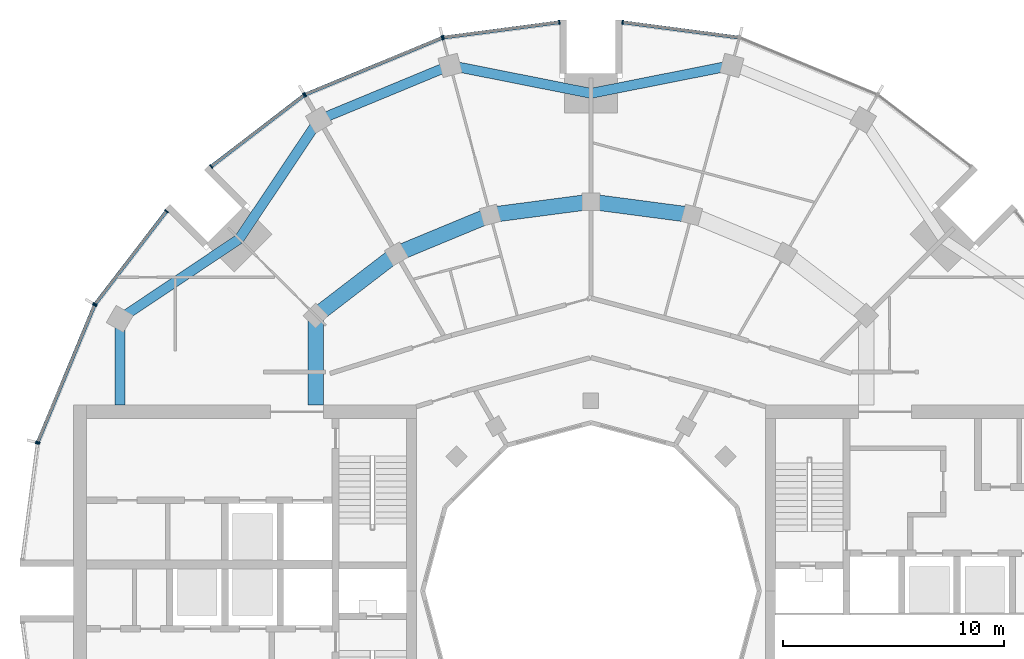
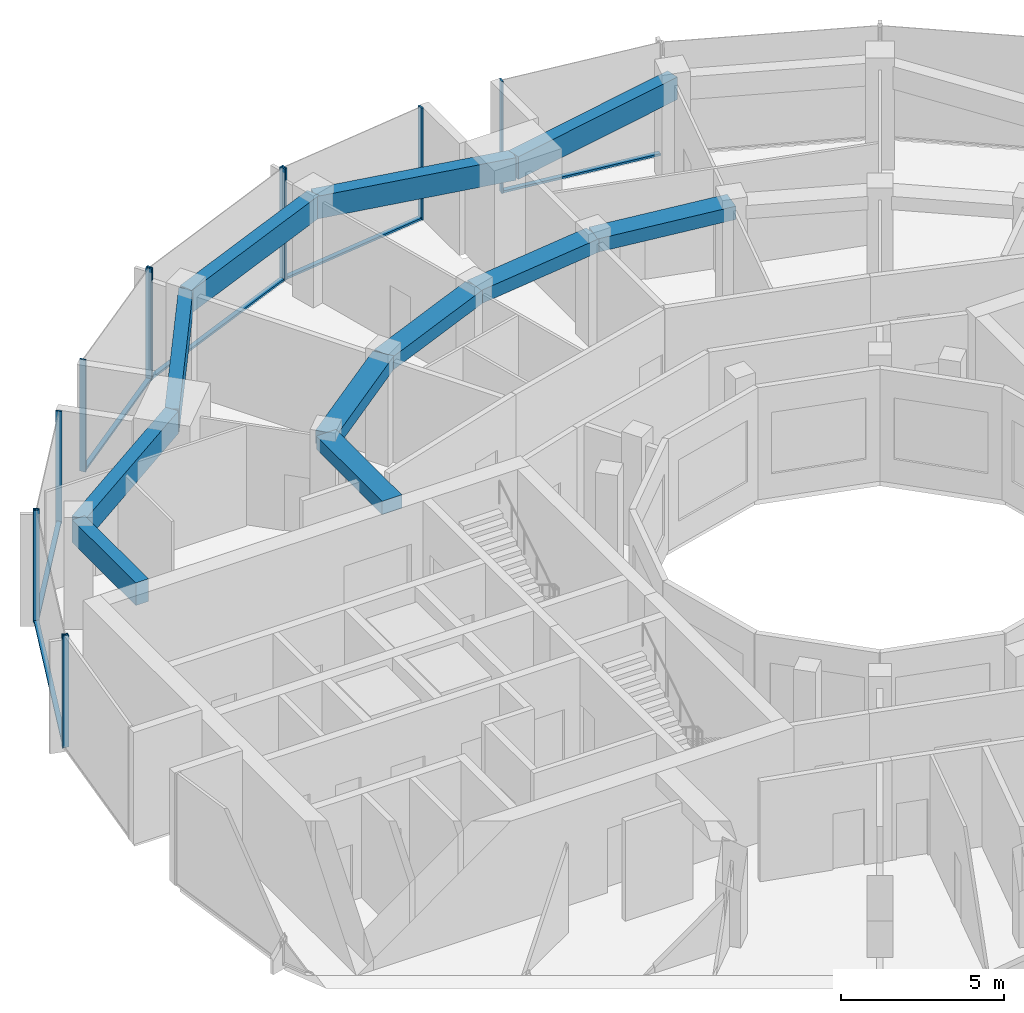
# One storey, part 5 of 15: 18 members, 11 beams, 7 elements without a shape of their own.
"""IFC4 building model written with IfcOpenShell, lengths in metres."""

from ifc_helpers import new_model, si_unit, direction, frame, origin, origin_2d, place, context, subcontext, project, spatial, rectangle, extrude, material, layer, layer_set, material_profile, profile_set, type_object, element, aggregate, save


model = new_model("IFC4")

# Units and contexts
model_context = context("Model", 3, precision=1e-05, world=origin(), true_north=direction((0.0, 1.0)))
body_context = subcontext(model_context, "Body", "Model", "MODEL_VIEW")
ifc_project = project(units=[si_unit("LENGTHUNIT", "METRE"), si_unit("AREAUNIT", "SQUARE_METRE"), si_unit("VOLUMEUNIT", "CUBIC_METRE"), si_unit("PLANEANGLEUNIT", "RADIAN"), si_unit("MASSUNIT", "GRAM", prefix="KILO")], contexts=[model_context])

# Site, building, storey
site_placement = place(None, origin())
site = spatial("IfcSite", under=ifc_project, at=site_placement, CompositionType="ELEMENT")
building_placement = place(site_placement, origin())
building = spatial("IfcBuilding", under=site, at=building_placement, Name="Torre Brocal", CompositionType="ELEMENT")
storey_placement = place(building_placement, frame((0.0, 0.0, 216.699951171875)))
storey = spatial("IfcBuildingStorey", under=building, at=storey_placement, Name="L50", CompositionType="ELEMENT", Elevation=216.699951171875)

# Curtain wall, member
ifc_material_1 = material(Name="Aluminium and glass", Category="aluminium")
ifc_layer_1 = layer(ifc_material_1, 0.199951171875)
ifc_layer_set_1 = layer_set([ifc_layer_1], Name="Aluminium and glass")
curtain_wall_type_1 = type_object("IfcCurtainWallType", Name="CW-1 CURTAIN WALL 4200 HIGH", PredefinedType="NOTDEFINED", material=ifc_layer_set_1)
curtain_wall_1_placement = place(storey_placement, origin())
curtain_wall_1 = element("IfcCurtainWall", 1, at=curtain_wall_1_placement, inside=storey, type_object=curtain_wall_type_1, Name="CW-1 RUN 6", PredefinedType="NOTDEFINED")
ifc_material_2 = material(Name="Aluminium, dark anodised", Category="aluminium")
ifc_material_profile_1 = material_profile(ifc_material_2, rectangle(XDim=0.199951171875, YDim=0.06005859375, at=origin_2d()), Name="CW-1 MULLION 60X200")
ifc_profile_set_1 = profile_set([ifc_material_profile_1], Name="Aluminium, dark anodised")
member_type_1 = type_object("IfcMemberType", Name="CW-1 MULLION 60X200", PredefinedType="MULLION", material=ifc_profile_set_1)
member_1_placement = place(storey_placement, frame((81.4296875, 100.7109375, 0.0), z_axis=(0.0, 0.0, 1.0), x_axis=(-0.13052619222, -0.991444861374, 0.0)))
member_1 = element("IfcMember", 2, at=member_1_placement, type_object=member_type_1, Name="CW1-5 mullion 2", PredefinedType="MULLION", context=body_context, shape_type="SweptSolid", body=[
    extrude(rectangle(XDim=0.199951171875, YDim=0.06005859375, at=origin_2d()), origin(), (0.0, 0.0, 1.0), 4.199951171875),
])

# Curtain wall, members
curtain_wall_2_placement = place(storey_placement, origin())
curtain_wall_2 = element("IfcCurtainWall", 3, at=curtain_wall_2_placement, inside=storey, type_object=curtain_wall_type_1, Name="CW-1 RUN 7", PredefinedType="NOTDEFINED")
member_2_placement = place(storey_placement, frame((78.5703125, 100.7109375, 0.0), z_axis=(0.0, 0.0, 1.0), x_axis=(0.13052619222, -0.991444861374, 0.0)))
member_2 = element("IfcMember", 4, at=member_2_placement, type_object=member_type_1, Name="CW1-5 mullion 1", PredefinedType="MULLION", context=body_context, shape_type="SweptSolid", body=[
    extrude(rectangle(XDim=0.199951171875, YDim=0.06005859375, at=origin_2d()), origin(), (0.0, 0.0, 1.0), 4.199951171875),
])
member_3_placement = place(storey_placement, frame((73.32666015625, 100.0205078125, 0.0), z_axis=(0.0, 0.0, 1.0), x_axis=(0.13052619222, -0.991444861374, 0.0)))
member_3 = element("IfcMember", 5, at=member_3_placement, type_object=member_type_1, Name="CW1-5 mullion 2", PredefinedType="MULLION", context=body_context, shape_type="SweptSolid", body=[
    extrude(rectangle(XDim=0.199951171875, YDim=0.06005859375, at=origin_2d()), origin(), (0.0, 0.0, 1.0), 4.199951171875),
])

curtain_wall_3_placement = place(storey_placement, origin())
curtain_wall_3 = element("IfcCurtainWall", 6, at=curtain_wall_3_placement, inside=storey, type_object=curtain_wall_type_1, Name="CW-1 RUN 8", PredefinedType="NOTDEFINED")
member_4_placement = place(storey_placement, frame((73.26904296875, 100.005126953125, 0.0), z_axis=(0.0, 0.0, 1.0), x_axis=(0.382683432333, -0.923879532525, 0.0)))
member_4 = element("IfcMember", 7, at=member_4_placement, type_object=member_type_1, Name="CW1-5 mullion 1", PredefinedType="MULLION", context=body_context, shape_type="SweptSolid", body=[
    extrude(rectangle(XDim=0.199951171875, YDim=0.06005859375, at=origin_2d()), origin(), (0.0, 0.0, 1.0), 4.199951171875),
])
member_5_placement = place(storey_placement, frame((67.078125, 97.440673828125, 0.0), z_axis=(0.0, 0.0, 1.0), x_axis=(0.382683432333, -0.923879532525, 0.0)))
member_5 = element("IfcMember", 8, at=member_5_placement, type_object=member_type_1, Name="CW1-5 mullion 2", PredefinedType="MULLION", context=body_context, shape_type="SweptSolid", body=[
    extrude(rectangle(XDim=0.199951171875, YDim=0.06005859375, at=origin_2d()), origin(), (0.0, 0.0, 1.0), 4.199951171875),
])

curtain_wall_4_placement = place(storey_placement, origin())
curtain_wall_4 = element("IfcCurtainWall", 9, at=curtain_wall_4_placement, inside=storey, type_object=curtain_wall_type_1, Name="CW-1 RUN 9", PredefinedType="NOTDEFINED")
member_6_placement = place(storey_placement, frame((67.026611328125, 97.4111328125, 0.0), z_axis=(0.0, 0.0, 1.0), x_axis=(0.60876142905, -0.793353340259, 0.0)))
member_6 = element("IfcMember", 10, at=member_6_placement, type_object=member_type_1, Name="CW1-5 mullion 1", PredefinedType="MULLION", context=body_context, shape_type="SweptSolid", body=[
    extrude(rectangle(XDim=0.199951171875, YDim=0.06005859375, at=origin_2d()), origin(), (0.0, 0.0, 1.0), 4.199951171875),
])
member_7_placement = place(storey_placement, frame((62.83056640625, 94.19140625, 0.0), z_axis=(0.0, 0.0, 1.0), x_axis=(0.60876142905, -0.793353340259, 0.0)))
member_7 = element("IfcMember", 11, at=member_7_placement, type_object=member_type_1, Name="CW1-5 mullion 2", PredefinedType="MULLION", context=body_context, shape_type="SweptSolid", body=[
    extrude(rectangle(XDim=0.199951171875, YDim=0.06005859375, at=origin_2d()), origin(), (0.0, 0.0, 1.0), 4.199951171875),
])

curtain_wall_5_placement = place(storey_placement, origin())
curtain_wall_5 = element("IfcCurtainWall", 12, at=curtain_wall_5_placement, inside=storey, type_object=curtain_wall_type_1, Name="CW-1 RUN 10", PredefinedType="NOTDEFINED")
member_8_placement = place(storey_placement, frame((60.80859375, 92.16943359375, 0.0), z_axis=(0.0, 0.0, 1.0), x_axis=(0.793353340259, -0.60876142905, 0.0)))
member_8 = element("IfcMember", 13, at=member_8_placement, type_object=member_type_1, Name="CW1-5 mullion 1", PredefinedType="MULLION", context=body_context, shape_type="SweptSolid", body=[
    extrude(rectangle(XDim=0.199951171875, YDim=0.06005859375, at=origin_2d()), origin(), (0.0, 0.0, 1.0), 4.199951171875),
])
member_9_placement = place(storey_placement, frame((57.5888671875, 87.973388671875, 0.0), z_axis=(0.0, 0.0, 1.0), x_axis=(0.793353340259, -0.60876142905, 0.0)))
member_9 = element("IfcMember", 14, at=member_9_placement, type_object=member_type_1, Name="CW1-5 mullion 2", PredefinedType="MULLION", context=body_context, shape_type="SweptSolid", body=[
    extrude(rectangle(XDim=0.199951171875, YDim=0.06005859375, at=origin_2d()), origin(), (0.0, 0.0, 1.0), 4.199951171875),
])

curtain_wall_6_placement = place(storey_placement, origin())
curtain_wall_6 = element("IfcCurtainWall", 15, at=curtain_wall_6_placement, inside=storey, type_object=curtain_wall_type_1, Name="CW-1 RUN 11", PredefinedType="NOTDEFINED")
member_10_placement = place(storey_placement, frame((57.559326171875, 87.921875, 0.0), z_axis=(0.0, 0.0, 1.0), x_axis=(0.923879532525, -0.382683432333, 0.0)))
member_10 = element("IfcMember", 16, at=member_10_placement, type_object=member_type_1, Name="CW1-5 mullion 1", PredefinedType="MULLION", context=body_context, shape_type="SweptSolid", body=[
    extrude(rectangle(XDim=0.199951171875, YDim=0.06005859375, at=origin_2d()), origin(), (0.0, 0.0, 1.0), 4.199951171875),
])
member_11_placement = place(storey_placement, frame((54.994873046875, 81.73095703125, 0.0), z_axis=(0.0, 0.0, 1.0), x_axis=(0.923879532525, -0.382683432333, 0.0)))
member_11 = element("IfcMember", 17, at=member_11_placement, type_object=member_type_1, Name="CW1-5 mullion 2", PredefinedType="MULLION", context=body_context, shape_type="SweptSolid", body=[
    extrude(rectangle(XDim=0.199951171875, YDim=0.06005859375, at=origin_2d()), origin(), (0.0, 0.0, 1.0), 4.199951171875),
])

# Member
ifc_material_3 = material(Name="Aluminium, dark anodised", Category="aluminium")
ifc_material_profile_2 = material_profile(ifc_material_3, rectangle(XDim=0.159912109375, YDim=0.080078125, at=origin_2d()), Name="CW-1 TRANSOM 160X80")
ifc_profile_set_2 = profile_set([ifc_material_profile_2], Name="Aluminium, dark anodised")
member_type_2 = type_object("IfcMemberType", Name="CW-1 TRANSOM 160X80", PredefinedType="USERDEFINED", material=ifc_profile_set_2)
member_12_placement = place(storey_placement, frame((86.643798828125, 100.0244140625, 0.0400390625), z_axis=(-0.991442690863, 0.130542677827, 0.0), x_axis=(-0.130542677827, -0.991442690863, 0.0)))
member_12 = element("IfcMember", 18, at=member_12_placement, type_object=member_type_2, Name="CW1-5 transom 1.1", ObjectType="TRANSOM", PredefinedType="USERDEFINED", context=body_context, shape_type="SweptSolid", body=[
    extrude(rectangle(XDim=0.159912109375, YDim=0.080078125, at=origin_2d()), origin(), (0.0, 0.0, 1.0), 5.22900390625),
])

aggregate(curtain_wall_1, [member_1, member_12])

member_13_placement = place(storey_placement, frame((78.54052734375, 100.70703125, 0.0400390625), z_axis=(-0.991442690863, -0.130542677827, 0.0), x_axis=(0.130542677827, -0.991442690863, 0.0)))
member_13 = element("IfcMember", 19, at=member_13_placement, type_object=member_type_2, Name="CW1-5 transom 1.1", ObjectType="TRANSOM", PredefinedType="USERDEFINED", context=body_context, shape_type="SweptSolid", body=[
    extrude(rectangle(XDim=0.159912109375, YDim=0.080078125, at=origin_2d()), origin(), (0.0, 0.0, 1.0), 5.22900390625),
])

aggregate(curtain_wall_2, [member_2, member_3, member_13])

member_14_placement = place(storey_placement, frame((73.241455078125, 99.99365234375, 0.0400390625), z_axis=(-0.923887344364, -0.38266457234, 0.0), x_axis=(0.38266457234, -0.923887344364, 0.0)))
member_14 = element("IfcMember", 20, at=member_14_placement, type_object=member_type_2, Name="CW1-5 transom 1.1", ObjectType="TRANSOM", PredefinedType="USERDEFINED", context=body_context, shape_type="SweptSolid", body=[
    extrude(rectangle(XDim=0.159912109375, YDim=0.080078125, at=origin_2d()), origin(), (0.0, 0.0, 1.0), 6.640869140625),
])

aggregate(curtain_wall_3, [member_4, member_5, member_14])

member_15_placement = place(storey_placement, frame((67.0029296875, 97.392822265625, 0.0400390625), z_axis=(-0.79336281513, -0.60874908096, 0.0), x_axis=(0.60874908096, -0.79336281513, 0.0)))
member_15 = element("IfcMember", 21, at=member_15_placement, type_object=member_type_2, Name="CW1-5 transom 1.1", ObjectType="TRANSOM", PredefinedType="USERDEFINED", context=body_context, shape_type="SweptSolid", body=[
    extrude(rectangle(XDim=0.159912109375, YDim=0.080078125, at=origin_2d()), origin(), (0.0, 0.0, 1.0), 5.22900390625),
])

aggregate(curtain_wall_4, [member_6, member_7, member_15])

member_16_placement = place(storey_placement, frame((60.790283203125, 92.1455078125, 0.0400390625), z_axis=(-0.60874908096, -0.79336281513, 0.0), x_axis=(0.79336281513, -0.60874908096, 0.0)))
member_16 = element("IfcMember", 22, at=member_16_placement, type_object=member_type_2, Name="CW1-5 transom 1.1", ObjectType="TRANSOM", PredefinedType="USERDEFINED", context=body_context, shape_type="SweptSolid", body=[
    extrude(rectangle(XDim=0.159912109375, YDim=0.080078125, at=origin_2d()), origin(), (0.0, 0.0, 1.0), 5.22900390625),
])

aggregate(curtain_wall_5, [member_8, member_9, member_16])

member_17_placement = place(storey_placement, frame((57.547607421875, 87.89404296875, 0.0400390625), z_axis=(-0.38266457234, -0.923887344364, 0.0), x_axis=(0.923887344364, -0.38266457234, 0.0)))
member_17 = element("IfcMember", 23, at=member_17_placement, type_object=member_type_2, Name="CW1-5 transom 1.1", ObjectType="TRANSOM", PredefinedType="USERDEFINED", context=body_context, shape_type="SweptSolid", body=[
    extrude(rectangle(XDim=0.159912109375, YDim=0.080078125, at=origin_2d()), origin(), (0.0, 0.0, 1.0), 6.640869140625),
])

aggregate(curtain_wall_6, [member_10, member_11, member_17])

# Curtain wall, member
ifc_material_4 = material(Name="Aluminium and glass", Category="aluminium")
ifc_layer_2 = layer(ifc_material_4, 0.199951171875)
ifc_layer_set_2 = layer_set([ifc_layer_2], Name="Aluminium and glass")
curtain_wall_type_2 = type_object("IfcCurtainWallType", Name="CW-1B CURTAIN WALL 4200 HIGH", PredefinedType="NOTDEFINED", material=ifc_layer_set_2)
curtain_wall_7_placement = place(storey_placement, origin())
curtain_wall_7 = element("IfcCurtainWall", 24, at=curtain_wall_7_placement, inside=storey, type_object=curtain_wall_type_2, Name="CW-1B RUN 12", PredefinedType="NOTDEFINED")
ifc_material_5 = material(Name="Aluminium, dark anodised", Category="aluminium")
ifc_material_profile_3 = material_profile(ifc_material_5, rectangle(XDim=0.199951171875, YDim=0.06005859375, at=origin_2d()), Name="CW-1B MULLION 60X200")
ifc_profile_set_3 = profile_set([ifc_material_profile_3], Name="Aluminium, dark anodised")
member_type_3 = type_object("IfcMemberType", Name="CW-1B MULLION 60X200", PredefinedType="MULLION", material=ifc_profile_set_3)
member_18_placement = place(storey_placement, frame((54.9794921875, 81.67333984375, 0.0), z_axis=(0.0, 0.0, 1.0), x_axis=(0.991444861374, -0.13052619222, 0.0)))
member_18 = element("IfcMember", 25, at=member_18_placement, type_object=member_type_3, Name="CW1B-5 mullion 1", PredefinedType="MULLION", context=body_context, shape_type="SweptSolid", body=[
    extrude(rectangle(XDim=0.199951171875, YDim=0.06005859375, at=origin_2d()), origin(), (0.0, 0.0, 1.0), 4.199951171875),
])
aggregate(curtain_wall_7, [member_18])

# Beams
ifc_material_6 = material(Name="Concrete C50", Category="concrete")
ifc_material_profile_4 = material_profile(ifc_material_6, rectangle(XDim=0.699951171875, YDim=0.5, at=origin_2d()), Name="RC 700X500")
ifc_profile_set_4 = profile_set([ifc_material_profile_4], Name="Concrete C50")
beam_type_1 = type_object("IfcBeamType", Name="RC BEAM 700X500 C50 TOP 3880", PredefinedType="BEAM", material=ifc_profile_set_4)
for number, where, z_axis, x_axis, name in (
    (26, (84.55517578125, 92.000244140625, 3.630126953125), (-0.991440544449, 0.130558978332, 0.0), (-0.130558978332, -0.991440544449, 0.0), "Beam BT-37"),
    (27, (80.0, 92.60009765625, 3.630126953125), (-0.991440544449, -0.130558978332, 0.0), (0.130558978332, -0.991440544449, 0.0), "Beam BT-37"),
):
    element("IfcBeam", number, at=place(storey_placement, frame(where, z_axis=z_axis, x_axis=x_axis)), inside=storey, type_object=beam_type_1, Name=name, PredefinedType="BEAM", context=body_context, shape_type="SweptSolid", body=[
        extrude(rectangle(XDim=0.699951171875, YDim=0.5, at=origin_2d()), origin(), (0.0, 0.0, 1.0), 4.594482421875),
    ])
beam_1_placement = place(storey_placement, frame((75.44482421875, 92.000244140625, 3.630126953125), z_axis=(-0.923878240166, -0.382686552348, 0.0), x_axis=(0.382686552348, -0.923878240166, 0.0)))
element("IfcBeam", 28, at=beam_1_placement, inside=storey, type_object=beam_type_1, Name="Beam BT-37", PredefinedType="BEAM", context=body_context, shape_type="SweptSolid", body=[
    extrude(rectangle(XDim=0.699951171875, YDim=0.5, at=origin_2d()), origin(), (0.0, 0.0, 1.0), 4.5947265625),
])
beam_2_placement = place(storey_placement, frame((71.199951171875, 90.241943359375, 3.630126953125), z_axis=(-0.793358265959, -0.6087550097, 0.0), x_axis=(0.6087550097, -0.793358265959, 0.0)))
element("IfcBeam", 29, at=beam_2_placement, inside=storey, type_object=beam_type_1, Name="Beam BT-37", PredefinedType="BEAM", context=body_context, shape_type="SweptSolid", body=[
    extrude(rectangle(XDim=0.699951171875, YDim=0.5, at=origin_2d()), origin(), (0.0, 0.0, 1.0), 4.594482421875),
])
beam_3_placement = place(storey_placement, frame((67.554931640625, 87.445068359375, 3.630126953125), z_axis=(0.0, -1.0, 0.0), x_axis=(1.0, 0.0, 0.0)))
element("IfcBeam", 30, at=beam_3_placement, inside=storey, type_object=beam_type_1, Name="Beam BT-37", PredefinedType="BEAM", context=body_context, shape_type="SweptSolid", body=[
    extrude(rectangle(XDim=0.699951171875, YDim=0.5, at=origin_2d()), origin(), (0.0, 0.0, 1.0), 4.045166015625),
])
ifc_material_7 = material(Name="Concrete C50", Category="concrete")
ifc_material_profile_5 = material_profile(ifc_material_7, rectangle(XDim=0.449951171875, YDim=0.85009765625, at=origin_2d()), Name="RC 450X850")
ifc_profile_set_5 = profile_set([ifc_material_profile_5], Name="Concrete C50")
beam_type_2 = type_object("IfcBeamType", Name="RC SPANDREL BEAM 450X850 C50 TOP 3880", PredefinedType="SPANDREL", material=ifc_profile_set_5)
for number, where, z_axis, x_axis, name in (
    (31, (86.366943359375, 98.76171875, 3.455078125), (-0.980924907484, -0.194387051723, 0.0), (0.194387051723, -0.980924907484, 0.0), "Beam BT-38"),
    (32, (80.0, 97.5, 3.455078125), (-0.980924907484, 0.194387051723, 0.0), (-0.194387051723, -0.980924907484, 0.0), "Beam BT-38"),
):
    element("IfcBeam", number, at=place(storey_placement, frame(where, z_axis=z_axis, x_axis=x_axis)), inside=storey, type_object=beam_type_2, Name=name, PredefinedType="SPANDREL", context=body_context, shape_type="SweptSolid", body=[
        extrude(rectangle(XDim=0.449951171875, YDim=0.85009765625, at=origin_2d()), origin(), (0.0, 0.0, 1.0), 6.49072265625),
    ])
beam_4_placement = place(storey_placement, frame((73.633056640625, 98.76171875, 3.455078125), z_axis=(-0.923882462513, -0.382676358639, 0.0), x_axis=(0.382676358639, -0.923882462513, 0.0)))
element("IfcBeam", 33, at=beam_4_placement, inside=storey, type_object=beam_type_2, Name="Beam BT-38", PredefinedType="SPANDREL", context=body_context, shape_type="SweptSolid", body=[
    extrude(rectangle(XDim=0.449951171875, YDim=0.85009765625, at=origin_2d()), origin(), (0.0, 0.0, 1.0), 6.421875),
])
for number, where, z_axis, x_axis, name in (
    (34, (67.699951171875, 96.30419921875, 3.455078125), (-0.556157602282, -0.831076844476, 0.0), (0.831076844476, -0.556157602282, 0.0), "Beam BT-38"),
    (35, (64.090087890625, 90.909912109375, 3.455078125), (-0.831076844476, -0.556157602282, 0.0), (0.556157602282, -0.831076844476, 0.0), "Beam BT-38"),
):
    element("IfcBeam", number, at=place(storey_placement, frame(where, z_axis=z_axis, x_axis=x_axis)), inside=storey, type_object=beam_type_2, Name=name, PredefinedType="SPANDREL", context=body_context, shape_type="SweptSolid", body=[
        extrude(rectangle(XDim=0.449951171875, YDim=0.85009765625, at=origin_2d()), origin(), (0.0, 0.0, 1.0), 6.49072265625),
    ])
beam_5_placement = place(storey_placement, frame((58.69580078125, 87.300048828125, 3.455078125), z_axis=(0.0, -1.0, 0.0), x_axis=(1.0, 0.0, 0.0)))
element("IfcBeam", 36, at=beam_5_placement, inside=storey, type_object=beam_type_2, Name="Beam BT-38", PredefinedType="SPANDREL", context=body_context, shape_type="SweptSolid", body=[
    extrude(rectangle(XDim=0.449951171875, YDim=0.85009765625, at=origin_2d()), origin(), (0.0, 0.0, 1.0), 3.900146484375),
])

save(model, "model.ifc")
